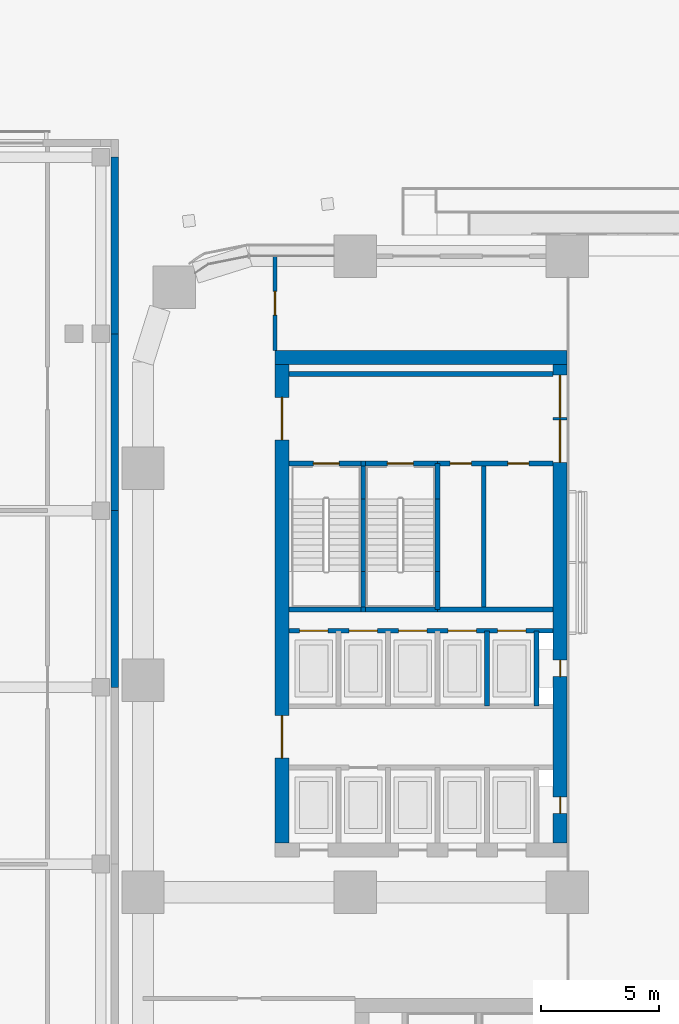
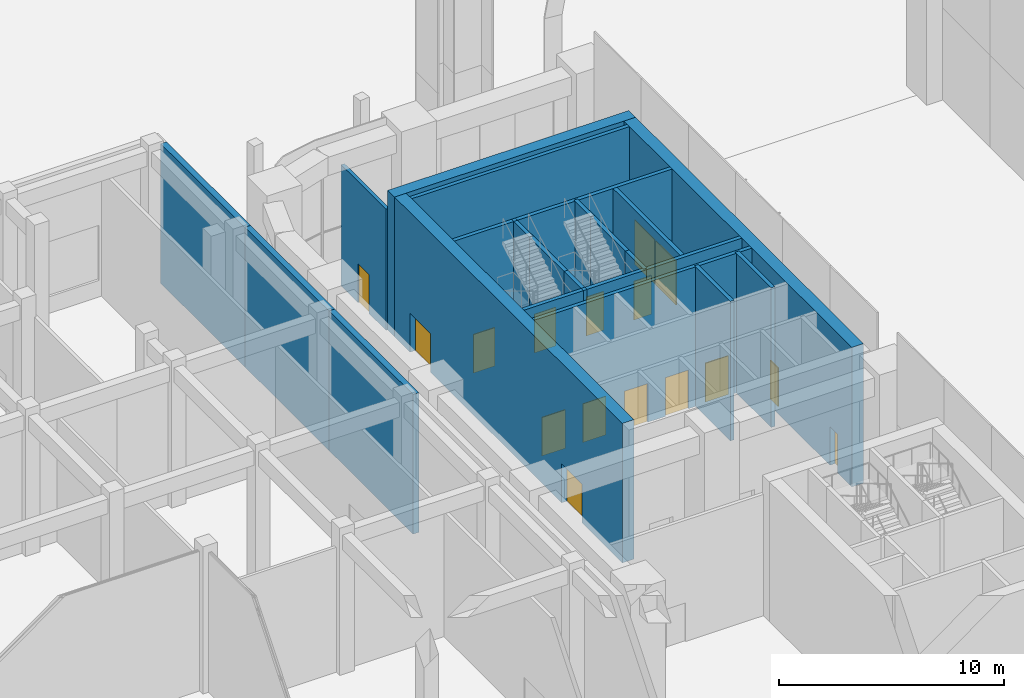
# One storey, part 35 of 64: 26 walls, 16 doors, 16 openings.
"""IFC4 building model written with IfcOpenShell, lengths in metres."""

from ifc_helpers import new_model, si_unit, direction, frame, frame_2d, origin, place, context, subcontext, project, spatial, rectangle, extrude, material, layer, layer_set, type_object, element, fill, save


model = new_model("IFC4")

# Units and contexts
model_context = context("Model", 3, precision=1e-05, world=origin(), true_north=direction((0.0, 1.0)))
body_context = subcontext(model_context, "Body", "Model", "MODEL_VIEW")
ifc_project = project(units=[si_unit("LENGTHUNIT", "METRE"), si_unit("AREAUNIT", "SQUARE_METRE"), si_unit("VOLUMEUNIT", "CUBIC_METRE"), si_unit("PLANEANGLEUNIT", "RADIAN"), si_unit("MASSUNIT", "GRAM", prefix="KILO")], contexts=[model_context])

# Site, building, storey
site_placement = place(None, origin())
site = spatial("IfcSite", under=ifc_project, at=site_placement, CompositionType="ELEMENT")
building_placement = place(site_placement, origin())
building = spatial("IfcBuilding", under=site, at=building_placement, Name="Tessera Arch", CompositionType="ELEMENT")
storey_placement = place(building_placement, origin())
storey = spatial("IfcBuildingStorey", under=building, at=storey_placement, Name="L00", CompositionType="ELEMENT", Elevation=0.0)

# Wall
ifc_material_1 = material(Name="Gypsum board on steel stud", Category="steel")
ifc_layer_1 = layer(ifc_material_1, 0.125)
ifc_layer_set_1 = layer_set([ifc_layer_1], Name="Core partition 125 EI 60")
wall_type_1 = type_object("IfcWallType", Name="Core partition 125 EI 60", PredefinedType="PARTITIONING", material=ifc_layer_set_1)
wall_1_placement = place(storey_placement, frame((14.4599609375, 39.0, 0.0), z_axis=(0.0, 0.0, 1.0), x_axis=(0.0, 1.0, 0.0)))
element("IfcWall", 1, at=wall_1_placement, inside=storey, type_object=wall_type_1, Name="L00 C2 partition wall 13", PredefinedType="PARTITIONING", context=body_context, shape_type="SweptSolid", body=[
    extrude(rectangle(XDim=6.199951171875, YDim=0.199951171875, at=frame_2d((3.10009765625, 0.0))), origin(), (0.0, 0.0, 1.0), 7.590087890625),
])

# Wall, openings, doors
wall_2_placement = place(storey_placement, frame((12.5, 45.199951171875, 0.0), z_axis=(0.0, 0.0, 1.0), x_axis=(1.0, 0.0, 0.0)))
wall_2 = element("IfcWall", 2, at=wall_2_placement, inside=storey, type_object=wall_type_1, Name="L00 C2 partition wall 25", PredefinedType="PARTITIONING", context=body_context, shape_type="SweptSolid", body=[
    extrude(rectangle(XDim=4.89990234375, YDim=0.199951171875, at=frame_2d((2.449951171875, 0.0))), origin(), (0.0, 0.0, 1.0), 7.590087890625),
])
opening_1_placement = place(wall_2_placement, frame((0.530029296875, 0.0, 0.0)))
opening_1 = element("IfcOpeningElement", 3, at=opening_1_placement, cuts=wall_2, Name="Opening L00-C32", PredefinedType="OPENING", context=body_context, shape_type="SweptSolid", body=[
    extrude(rectangle(XDim=0.89990234375, YDim=2.10009765625, at=frame_2d((0.449951171875, 1.050048828125))), frame((0.0, 0.10986328125, 0.0), z_axis=(0.0, -1.0, 0.0), x_axis=(1.0, 0.0, 0.0)), (0.0, 0.0, 1.0), 0.219970703125),
])
opening_2_placement = place(wall_2_placement, frame((2.97998046875, 0.0, 0.0)))
opening_2 = element("IfcOpeningElement", 4, at=opening_2_placement, cuts=wall_2, Name="Opening L00-C33", PredefinedType="OPENING", context=body_context, shape_type="SweptSolid", body=[
    extrude(rectangle(XDim=0.89990234375, YDim=2.10009765625, at=frame_2d((0.449951171875, 1.050048828125))), frame((0.0, 0.10986328125, 0.0), z_axis=(0.0, -1.0, 0.0), x_axis=(1.0, 0.0, 0.0)), (0.0, 0.0, 1.0), 0.219970703125),
])
ifc_material_2 = material(Name="Steel door leaf", Category="steel")
door_type_1 = type_object("IfcDoorType", Name="Store door FD30S 900 x 2100", OperationType="SINGLE_SWING_LEFT", PredefinedType="DOOR", material=ifc_material_2)
door_1_placement = place(opening_1_placement, origin())
door_1 = element("IfcDoor", 5, at=door_1_placement, inside=storey, type_object=door_type_1, Name="L00 C2 door 16 C32 type D09", OperationType="SINGLE_SWING_LEFT", OverallHeight=2.10009765625, OverallWidth=0.89990234375, PredefinedType="DOOR", context=body_context, shape_type="SweptSolid", body=[
    extrude(rectangle(XDim=0.89990234375, YDim=2.10009765625, at=frame_2d((0.449951171875, 1.050048828125))), frame((0.0, 0.02490234375, 0.0), z_axis=(0.0, -1.0, 0.0), x_axis=(1.0, 0.0, 0.0)), (0.0, 0.0, 1.0), 0.050048828125),
])
fill(opening_1, door_1)
door_2_placement = place(opening_2_placement, origin())
door_2 = element("IfcDoor", 6, at=door_2_placement, inside=storey, type_object=door_type_1, Name="L00 C2 door 17 C33 type D09", OperationType="SINGLE_SWING_RIGHT", OverallHeight=2.10009765625, OverallWidth=0.89990234375, PredefinedType="DOOR", context=body_context, shape_type="SweptSolid", body=[
    extrude(rectangle(XDim=0.89990234375, YDim=2.10009765625, at=frame_2d((0.449951171875, 1.050048828125))), frame((0.0, 0.02490234375, 0.0), z_axis=(0.0, -1.0, 0.0), x_axis=(1.0, 0.0, 0.0)), (0.0, 0.0, 1.0), 0.050048828125),
])
fill(opening_2, door_2)

# Walls
wall_3_placement = place(storey_placement, frame((6.199951171875, 49.0, 0.0), z_axis=(0.0, 0.0, 1.0), x_axis=(1.0, 0.0, 0.0)))
element("IfcWall", 7, at=wall_3_placement, inside=storey, type_object=wall_type_1, Name="L00 C2 partition wall 29", PredefinedType="PARTITIONING", context=body_context, shape_type="SweptSolid", body=[
    extrude(rectangle(XDim=11.199951171875, YDim=0.199951171875, at=frame_2d((5.60009765625, 0.0))), origin(), (0.0, 0.0, 1.0), 7.590087890625),
])
ifc_material_3 = material(Name="Concrete C70/85", Category="concrete")
ifc_layer_2 = layer(ifc_material_3, 0.60009765625)
ifc_layer_set_2 = layer_set([ifc_layer_2], Name="Core shell wall 600 C70-85")
wall_type_2 = type_object("IfcWallType", Name="Core shell wall 600 C70-85", PredefinedType="SHEAR", material=ifc_layer_set_2)
wall_4_placement = place(storey_placement, frame((5.60009765625, 49.699951171875, 0.0), z_axis=(0.0, 0.0, 1.0), x_axis=(1.0, 0.0, 0.0)))
element("IfcWall", 8, at=wall_4_placement, inside=storey, type_object=wall_type_2, Name="L00 C2 core wall N", PredefinedType="SHEAR", context=body_context, shape_type="SweptSolid", body=[
    extrude(rectangle(XDim=12.39990234375, YDim=0.60009765625, at=frame_2d((6.199951171875, 0.0))), origin(), (0.0, 0.0, 1.0), 7.590087890625),
])

# Wall, openings, doors
wall_5_placement = place(storey_placement, frame((5.89990234375, 29.10009765625, 0.0), z_axis=(0.0, 0.0, 1.0), x_axis=(0.0, 1.0, 0.0)))
wall_5 = element("IfcWall", 9, at=wall_5_placement, inside=storey, type_object=wall_type_2, Name="L00 C2 core wall W", PredefinedType="SHEAR", context=body_context, shape_type="SweptSolid", body=[
    extrude(rectangle(XDim=20.2998046875, YDim=0.60009765625, at=frame_2d((10.14990234375, 0.0))), origin(), (0.0, 0.0, 1.0), 7.590087890625),
])
opening_3_placement = place(wall_5_placement, frame((3.60009765625, 0.0, 0.0)))
opening_3 = element("IfcOpeningElement", 10, at=opening_3_placement, cuts=wall_5, Name="Opening L00-C29", PredefinedType="OPENING", context=body_context, shape_type="SweptSolid", body=[
    extrude(rectangle(XDim=1.800048828125, YDim=2.10009765625, at=frame_2d((0.89990234375, 1.050048828125))), frame((0.0, 0.31005859375, 0.0), z_axis=(0.0, -1.0, 0.0), x_axis=(1.0, 0.0, 0.0)), (0.0, 0.0, 1.0), 0.6201171875),
])
opening_4_placement = place(wall_5_placement, frame((17.10009765625, 0.0, 0.0)))
opening_4 = element("IfcOpeningElement", 11, at=opening_4_placement, cuts=wall_5, Name="Opening L00-C34", PredefinedType="OPENING", context=body_context, shape_type="SweptSolid", body=[
    extrude(rectangle(XDim=1.800048828125, YDim=2.10009765625, at=frame_2d((0.89990234375, 1.050048828125))), frame((0.0, 0.31005859375, 0.0), z_axis=(0.0, -1.0, 0.0), x_axis=(1.0, 0.0, 0.0)), (0.0, 0.0, 1.0), 0.6201171875),
])
ifc_material_4 = material(Name="Glazed steel door leaf", Category="steel")
door_type_2 = type_object("IfcDoorType", Name="Lobby double door FD30S 1800 x 2100", OperationType="DOUBLE_DOOR_SINGLE_SWING", PredefinedType="DOOR", material=ifc_material_4)
door_3_placement = place(opening_3_placement, origin())
door_3 = element("IfcDoor", 12, at=door_3_placement, inside=storey, type_object=door_type_2, Name="L00 C2 door 13 C29 type D06", OperationType="DOUBLE_DOOR_SINGLE_SWING", OverallHeight=2.10009765625, OverallWidth=1.800048828125, PredefinedType="DOOR", context=body_context, shape_type="SweptSolid", body=[
    extrude(rectangle(XDim=1.800048828125, YDim=2.10009765625, at=frame_2d((0.89990234375, 1.050048828125))), frame((0.0, 0.02490234375, 0.0), z_axis=(0.0, -1.0, 0.0), x_axis=(1.0, 0.0, 0.0)), (0.0, 0.0, 1.0), 0.050048828125),
])
fill(opening_3, door_3)
door_4_placement = place(opening_4_placement, origin())
door_4 = element("IfcDoor", 13, at=door_4_placement, inside=storey, type_object=door_type_2, Name="L00 C2 door 18 C34 type D06", OperationType="DOUBLE_DOOR_SINGLE_SWING", OverallHeight=2.10009765625, OverallWidth=1.800048828125, PredefinedType="DOOR", context=body_context, shape_type="SweptSolid", body=[
    extrude(rectangle(XDim=1.800048828125, YDim=2.10009765625, at=frame_2d((0.89990234375, 1.050048828125))), frame((0.0, 0.02490234375, 0.0), z_axis=(0.0, -1.0, 0.0), x_axis=(1.0, 0.0, 0.0)), (0.0, 0.0, 1.0), 0.050048828125),
])
fill(opening_4, door_4)

wall_6_placement = place(storey_placement, frame((17.699951171875, 29.10009765625, 0.0), z_axis=(0.0, 0.0, 1.0), x_axis=(0.0, 1.0, 0.0)))
wall_6 = element("IfcWall", 14, at=wall_6_placement, inside=storey, type_object=wall_type_2, Name="L00 C2 core wall E", PredefinedType="SHEAR", context=body_context, shape_type="SweptSolid", body=[
    extrude(rectangle(XDim=20.2998046875, YDim=0.60009765625, at=frame_2d((10.14990234375, 0.0))), origin(), (0.0, 0.0, 1.0), 7.590087890625),
])
opening_5_placement = place(wall_6_placement, frame((1.25, 0.0, 0.0)))
opening_5 = element("IfcOpeningElement", 15, at=opening_5_placement, cuts=wall_6, Name="Opening L00-C27", PredefinedType="OPENING", context=body_context, shape_type="SweptSolid", body=[
    extrude(rectangle(XDim=0.699951171875, YDim=2.10009765625, at=frame_2d((0.35009765625, 1.050048828125))), frame((0.0, 0.31005859375, 0.0), z_axis=(0.0, -1.0, 0.0), x_axis=(1.0, 0.0, 0.0)), (0.0, 0.0, 1.0), 0.6201171875),
])
opening_6_placement = place(wall_6_placement, frame((7.050048828125, 0.0, 0.0)))
opening_6 = element("IfcOpeningElement", 16, at=opening_6_placement, cuts=wall_6, Name="Opening L00-C28", PredefinedType="OPENING", context=body_context, shape_type="SweptSolid", body=[
    extrude(rectangle(XDim=0.699951171875, YDim=2.10009765625, at=frame_2d((0.35009765625, 1.050048828125))), frame((0.0, 0.31005859375, 0.0), z_axis=(0.0, -1.0, 0.0), x_axis=(1.0, 0.0, 0.0)), (0.0, 0.0, 1.0), 0.6201171875),
])
opening_7_placement = place(wall_6_placement, frame((17.949951171875, 0.0, 0.0), z_axis=(0.0, 0.0, 1.0), x_axis=(-1.0, 0.0, 0.0)))
opening_7 = element("IfcOpeningElement", 17, at=opening_7_placement, cuts=wall_6, Name="Opening L00-C69", PredefinedType="OPENING", context=body_context, shape_type="SweptSolid", body=[
    extrude(rectangle(XDim=1.800048828125, YDim=2.39990234375, at=frame_2d((0.89990234375, 1.199951171875))), frame((0.0, 0.31005859375, 0.0), z_axis=(0.0, -1.0, 0.0), x_axis=(1.0, 0.0, 0.0)), (0.0, 0.0, 1.0), 0.6201171875),
])
opening_8_placement = place(wall_6_placement, frame((19.85009765625, 0.0, 0.0), z_axis=(0.0, 0.0, 1.0), x_axis=(-1.0, 0.0, 0.0)))
opening_8 = element("IfcOpeningElement", 18, at=opening_8_placement, cuts=wall_6, Name="Opening L00-C70", PredefinedType="OPENING", context=body_context, shape_type="SweptSolid", body=[
    extrude(rectangle(XDim=1.800048828125, YDim=2.39990234375, at=frame_2d((0.89990234375, 1.199951171875))), frame((0.0, 0.31005859375, 0.0), z_axis=(0.0, -1.0, 0.0), x_axis=(1.0, 0.0, 0.0)), (0.0, 0.0, 1.0), 0.6201171875),
])
ifc_material_5 = material(Name="Steel door leaf", Category="steel")
door_type_3 = type_object("IfcDoorType", Name="Service shaft door FD60 700 x 2100", OperationType="SINGLE_SWING_LEFT", PredefinedType="DOOR", material=ifc_material_5)
door_5_placement = place(opening_5_placement, origin())
door_5 = element("IfcDoor", 19, at=door_5_placement, inside=storey, type_object=door_type_3, Name="L00 C2 door 11 C27 type D07", OperationType="SINGLE_SWING_LEFT", OverallHeight=2.10009765625, OverallWidth=0.699951171875, PredefinedType="DOOR", context=body_context, shape_type="SweptSolid", body=[
    extrude(rectangle(XDim=0.699951171875, YDim=2.10009765625, at=frame_2d((0.35009765625, 1.050048828125))), frame((0.0, 0.02490234375, 0.0), z_axis=(0.0, -1.0, 0.0), x_axis=(1.0, 0.0, 0.0)), (0.0, 0.0, 1.0), 0.050048828125),
])
fill(opening_5, door_5)
door_6_placement = place(opening_6_placement, origin())
door_6 = element("IfcDoor", 20, at=door_6_placement, inside=storey, type_object=door_type_3, Name="L00 C2 door 12 C28 type D07", OperationType="SINGLE_SWING_LEFT", OverallHeight=2.10009765625, OverallWidth=0.699951171875, PredefinedType="DOOR", context=body_context, shape_type="SweptSolid", body=[
    extrude(rectangle(XDim=0.699951171875, YDim=2.10009765625, at=frame_2d((0.35009765625, 1.050048828125))), frame((0.0, 0.02490234375, 0.0), z_axis=(0.0, -1.0, 0.0), x_axis=(1.0, 0.0, 0.0)), (0.0, 0.0, 1.0), 0.050048828125),
])
fill(opening_6, door_6)
ifc_material_6 = material(Name="Steel door leaf", Category="steel")
door_type_4 = type_object("IfcDoorType", Name="Stair discharge door 1800 x 2400", OperationType="DOUBLE_DOOR_SINGLE_SWING", PredefinedType="DOOR", material=ifc_material_6)
door_7_placement = place(opening_7_placement, origin())
door_7 = element("IfcDoor", 21, at=door_7_placement, inside=storey, type_object=door_type_4, Name="Stair S2a exit C69 type D10", OperationType="DOUBLE_DOOR_SINGLE_SWING", OverallHeight=2.39990234375, OverallWidth=1.800048828125, PredefinedType="DOOR", context=body_context, shape_type="SweptSolid", body=[
    extrude(rectangle(XDim=1.800048828125, YDim=2.39990234375, at=frame_2d((0.89990234375, 1.199951171875))), frame((0.0, 0.02490234375, 0.0), z_axis=(0.0, -1.0, 0.0), x_axis=(1.0, 0.0, 0.0)), (0.0, 0.0, 1.0), 0.050048828125),
])
fill(opening_7, door_7)
door_8_placement = place(opening_8_placement, origin())
door_8 = element("IfcDoor", 22, at=door_8_placement, inside=storey, type_object=door_type_4, Name="Stair S2b exit C70 type D10", OperationType="DOUBLE_DOOR_SINGLE_SWING", OverallHeight=2.39990234375, OverallWidth=1.800048828125, PredefinedType="DOOR", context=body_context, shape_type="SweptSolid", body=[
    extrude(rectangle(XDim=1.800048828125, YDim=2.39990234375, at=frame_2d((0.89990234375, 1.199951171875))), frame((0.0, 0.02490234375, 0.0), z_axis=(0.0, -1.0, 0.0), x_axis=(1.0, 0.0, 0.0)), (0.0, 0.0, 1.0), 0.050048828125),
])
fill(opening_8, door_8)

# Wall, opening, door
ifc_material_7 = material(Name="Gypsum board on deep steel stud with mineral wool", Category="steel")
ifc_layer_3 = layer(ifc_material_7, 0.175048828125)
ifc_layer_set_3 = layer_set([ifc_layer_3], Name="Corridor wall 175 EI 60")
wall_type_3 = type_object("IfcWallType", Name="Corridor wall 175 EI 60", PredefinedType="PARTITIONING", material=ifc_layer_set_3)
wall_7_placement = place(storey_placement, frame((5.60009765625, 50.0, 0.0), z_axis=(0.0, 0.0, 1.0), x_axis=(0.0, 1.0, 0.0)))
wall_7 = element("IfcWall", 23, at=wall_7_placement, inside=storey, type_object=wall_type_3, Name="L00 partition 22", PredefinedType="PARTITIONING", context=body_context, shape_type="SweptSolid", body=[
    extrude(rectangle(XDim=4.0, YDim=0.175048828125, at=frame_2d((2.0, 0.0))), origin(), (0.0, 0.0, 1.0), 6.590087890625),
])
opening_9_placement = place(wall_7_placement, frame((1.5, 0.0, 0.0)))
opening_9 = element("IfcOpeningElement", 24, at=opening_9_placement, cuts=wall_7, Name="Opening L00-D015", PredefinedType="OPENING", context=body_context, shape_type="SweptSolid", body=[
    extrude(rectangle(XDim=1.0, YDim=2.10009765625, at=frame_2d((0.5, 1.050048828125))), frame((0.0, 0.097412109375, 0.0), z_axis=(0.0, -1.0, 0.0), x_axis=(1.0, 0.0, 0.0)), (0.0, 0.0, 1.0), 0.195068359375),
])
ifc_material_8 = material(Name="Fire-rated door leaf")
door_type_5 = type_object("IfcDoorType", Name="Entrance door FD30S 1000 x 2100", OperationType="SINGLE_SWING_LEFT", PredefinedType="DOOR", material=ifc_material_8)
door_9_placement = place(opening_9_placement, origin())
door_9 = element("IfcDoor", 25, at=door_9_placement, inside=storey, type_object=door_type_5, Name="L00 door D015 type D03", OperationType="SINGLE_SWING_LEFT", OverallHeight=2.10009765625, OverallWidth=1.0, PredefinedType="DOOR", context=body_context, shape_type="SweptSolid", body=[
    extrude(rectangle(XDim=1.0, YDim=2.10009765625, at=frame_2d((0.5, 1.050048828125))), frame((0.0, 0.02490234375, 0.0), z_axis=(0.0, -1.0, 0.0), x_axis=(1.0, 0.0, 0.0)), (0.0, 0.0, 1.0), 0.050048828125),
])
fill(opening_9, door_9)

# Walls
ifc_material_9 = material(Name="Concrete C40/50", Category="concrete")
ifc_layer_4 = layer(ifc_material_9, 0.300048828125)
ifc_layer_set_4 = layer_set([ifc_layer_4], Name="Museum fire wall")
wall_type_4 = type_object("IfcWallType", Name="Museum fire wall", PredefinedType="SOLIDWALL", material=ifc_layer_set_4)
for number, where, z_axis, x_axis, name in (
    (26, (-1.199951171875, 35.699951171875, 0.0), (0.0, 0.0, 1.0), (0.0, 1.0, 0.0), "Museum fire wall at the movement joint"),
    (27, (-1.199951171875, 43.199951171875, 0.0), (0.0, 0.0, 1.0), (0.0, 1.0, 0.0), "Museum fire wall at the movement joint"),
    (28, (-1.199951171875, 50.699951171875, 0.0), (0.0, 0.0, 1.0), (0.0, 1.0, 0.0), "Museum fire wall at the movement joint"),
):
    element("IfcWall", number, at=place(storey_placement, frame(where, z_axis=z_axis, x_axis=x_axis)), inside=storey, type_object=wall_type_4, Name=name, PredefinedType="SOLIDWALL", context=body_context, shape_type="SweptSolid", body=[
        extrude(rectangle(XDim=7.5, YDim=0.300048828125, at=frame_2d((3.75, 0.0))), origin(), (0.0, 0.0, 1.0), 7.590087890625),
    ])
ifc_material_10 = material(Name="Concrete C40/50", Category="concrete")
ifc_layer_5 = layer(ifc_material_10, 0.199951171875)
ifc_layer_set_5 = layer_set([ifc_layer_5], Name="Shaft wall 200 EI 120")
wall_type_5 = type_object("IfcWallType", Name="Shaft wall 200 EI 120", PredefinedType="SOLIDWALL", material=ifc_layer_set_5)
for number, where, z_axis, x_axis, name in (
    (29, (14.60009765625, 34.89990234375, 0.0), (0.0, 0.0, 1.0), (0.0, 1.0, 0.0), "L00 C2 shaft wall 15"),
    (30, (16.699951171875, 34.89990234375, 0.0), (0.0, 0.0, 1.0), (0.0, 1.0, 0.0), "L00 C2 shaft wall 17"),
):
    element("IfcWall", number, at=place(storey_placement, frame(where, z_axis=z_axis, x_axis=x_axis)), inside=storey, type_object=wall_type_5, Name=name, PredefinedType="SOLIDWALL", context=body_context, shape_type="SweptSolid", body=[
        extrude(rectangle(XDim=3.2001953125, YDim=0.199951171875, at=frame_2d((1.60009765625, 0.0))), origin(), (0.0, 0.0, 1.0), 7.590087890625),
    ])

# Wall, openings, doors
wall_8_placement = place(storey_placement, frame((6.199951171875, 38.10009765625, 0.0), z_axis=(0.0, 0.0, 1.0), x_axis=(1.0, 0.0, 0.0)))
wall_8 = element("IfcWall", 31, at=wall_8_placement, inside=storey, type_object=wall_type_5, Name="L00 C2 shaft wall 20", PredefinedType="SOLIDWALL", context=body_context, shape_type="SweptSolid", body=[
    extrude(rectangle(XDim=11.199951171875, YDim=0.199951171875, at=frame_2d((5.60009765625, 0.0))), origin(), (0.0, 0.0, 1.0), 7.590087890625),
])
opening_10_placement = place(wall_8_placement, frame((0.449951171875, 0.0, 0.0)))
opening_10 = element("IfcOpeningElement", 32, at=opening_10_placement, cuts=wall_8, Name="Opening L00-C21", PredefinedType="OPENING", context=body_context, shape_type="SweptSolid", body=[
    extrude(rectangle(XDim=1.199951171875, YDim=2.10009765625, at=frame_2d((0.60009765625, 1.050048828125))), frame((0.0, 0.10986328125, 0.0), z_axis=(0.0, -1.0, 0.0), x_axis=(1.0, 0.0, 0.0)), (0.0, 0.0, 1.0), 0.219970703125),
])
opening_11_placement = place(wall_8_placement, frame((2.550048828125, 0.0, 0.0)))
opening_11 = element("IfcOpeningElement", 33, at=opening_11_placement, cuts=wall_8, Name="Opening L00-C22", PredefinedType="OPENING", context=body_context, shape_type="SweptSolid", body=[
    extrude(rectangle(XDim=1.199951171875, YDim=2.10009765625, at=frame_2d((0.60009765625, 1.050048828125))), frame((0.0, 0.10986328125, 0.0), z_axis=(0.0, -1.0, 0.0), x_axis=(1.0, 0.0, 0.0)), (0.0, 0.0, 1.0), 0.219970703125),
])
opening_12_placement = place(wall_8_placement, frame((4.64990234375, 0.0, 0.0)))
opening_12 = element("IfcOpeningElement", 34, at=opening_12_placement, cuts=wall_8, Name="Opening L00-C23", PredefinedType="OPENING", context=body_context, shape_type="SweptSolid", body=[
    extrude(rectangle(XDim=1.199951171875, YDim=2.10009765625, at=frame_2d((0.60009765625, 1.050048828125))), frame((0.0, 0.10986328125, 0.0), z_axis=(0.0, -1.0, 0.0), x_axis=(1.0, 0.0, 0.0)), (0.0, 0.0, 1.0), 0.219970703125),
])
opening_13_placement = place(wall_8_placement, frame((6.75, 0.0, 0.0)))
opening_13 = element("IfcOpeningElement", 35, at=opening_13_placement, cuts=wall_8, Name="Opening L00-C24", PredefinedType="OPENING", context=body_context, shape_type="SweptSolid", body=[
    extrude(rectangle(XDim=1.199951171875, YDim=2.10009765625, at=frame_2d((0.60009765625, 1.050048828125))), frame((0.0, 0.10986328125, 0.0), z_axis=(0.0, -1.0, 0.0), x_axis=(1.0, 0.0, 0.0)), (0.0, 0.0, 1.0), 0.219970703125),
])
opening_14_placement = place(wall_8_placement, frame((8.85009765625, 0.0, 0.0)))
opening_14 = element("IfcOpeningElement", 36, at=opening_14_placement, cuts=wall_8, Name="Opening L00-C26", PredefinedType="OPENING", context=body_context, shape_type="SweptSolid", body=[
    extrude(rectangle(XDim=1.199951171875, YDim=2.10009765625, at=frame_2d((0.60009765625, 1.050048828125))), frame((0.0, 0.10986328125, 0.0), z_axis=(0.0, -1.0, 0.0), x_axis=(1.0, 0.0, 0.0)), (0.0, 0.0, 1.0), 0.219970703125),
])
ifc_material_11 = material(Name="Stainless steel AISI 304", Category="steel")
door_type_6 = type_object("IfcDoorType", Name="Sliding landing door 1200 x 2100", OperationType="SLIDING_TO_LEFT", PredefinedType="DOOR", material=ifc_material_11)
door_10_placement = place(opening_10_placement, origin())
door_10 = element("IfcDoor", 37, at=door_10_placement, inside=storey, type_object=door_type_6, Name="L00 LR5 lift landing door C21 type LD", OperationType="SLIDING_TO_LEFT", OverallHeight=2.10009765625, OverallWidth=1.199951171875, PredefinedType="DOOR", context=body_context, shape_type="SweptSolid", body=[
    extrude(rectangle(XDim=1.199951171875, YDim=2.10009765625, at=frame_2d((0.60009765625, 1.050048828125))), frame((0.0, 0.02490234375, 0.0), z_axis=(0.0, -1.0, 0.0), x_axis=(1.0, 0.0, 0.0)), (0.0, 0.0, 1.0), 0.050048828125),
])
fill(opening_10, door_10)
door_11_placement = place(opening_11_placement, origin())
door_11 = element("IfcDoor", 38, at=door_11_placement, inside=storey, type_object=door_type_6, Name="L00 LR6 lift landing door C22 type LD", OperationType="SLIDING_TO_LEFT", OverallHeight=2.10009765625, OverallWidth=1.199951171875, PredefinedType="DOOR", context=body_context, shape_type="SweptSolid", body=[
    extrude(rectangle(XDim=1.199951171875, YDim=2.10009765625, at=frame_2d((0.60009765625, 1.050048828125))), frame((0.0, 0.02490234375, 0.0), z_axis=(0.0, -1.0, 0.0), x_axis=(1.0, 0.0, 0.0)), (0.0, 0.0, 1.0), 0.050048828125),
])
fill(opening_11, door_11)
door_12_placement = place(opening_12_placement, origin())
door_12 = element("IfcDoor", 39, at=door_12_placement, inside=storey, type_object=door_type_6, Name="L00 LR7 lift landing door C23 type LD", OperationType="SLIDING_TO_LEFT", OverallHeight=2.10009765625, OverallWidth=1.199951171875, PredefinedType="DOOR", context=body_context, shape_type="SweptSolid", body=[
    extrude(rectangle(XDim=1.199951171875, YDim=2.10009765625, at=frame_2d((0.60009765625, 1.050048828125))), frame((0.0, 0.02490234375, 0.0), z_axis=(0.0, -1.0, 0.0), x_axis=(1.0, 0.0, 0.0)), (0.0, 0.0, 1.0), 0.050048828125),
])
fill(opening_12, door_12)
door_13_placement = place(opening_13_placement, origin())
door_13 = element("IfcDoor", 40, at=door_13_placement, inside=storey, type_object=door_type_6, Name="L00 LR8 lift landing door C24 type LD", OperationType="SLIDING_TO_LEFT", OverallHeight=2.10009765625, OverallWidth=1.199951171875, PredefinedType="DOOR", context=body_context, shape_type="SweptSolid", body=[
    extrude(rectangle(XDim=1.199951171875, YDim=2.10009765625, at=frame_2d((0.60009765625, 1.050048828125))), frame((0.0, 0.02490234375, 0.0), z_axis=(0.0, -1.0, 0.0), x_axis=(1.0, 0.0, 0.0)), (0.0, 0.0, 1.0), 0.050048828125),
])
fill(opening_13, door_13)
door_14_placement = place(opening_14_placement, origin())
door_14 = element("IfcDoor", 41, at=door_14_placement, inside=storey, type_object=door_type_6, Name="L00 HR8 lift landing door C26 type LD", OperationType="SLIDING_TO_LEFT", OverallHeight=2.10009765625, OverallWidth=1.199951171875, PredefinedType="DOOR", context=body_context, shape_type="SweptSolid", body=[
    extrude(rectangle(XDim=1.199951171875, YDim=2.10009765625, at=frame_2d((0.60009765625, 1.050048828125))), frame((0.0, 0.02490234375, 0.0), z_axis=(0.0, -1.0, 0.0), x_axis=(1.0, 0.0, 0.0)), (0.0, 0.0, 1.0), 0.050048828125),
])
fill(opening_14, door_14)

# Walls
wall_9_placement = place(storey_placement, frame((12.5, 39.0, 0.0), z_axis=(0.0, 0.0, 1.0), x_axis=(1.0, 0.0, 0.0)))
element("IfcWall", 42, at=wall_9_placement, inside=storey, type_object=wall_type_5, Name="L00 C2 shaft wall 21", PredefinedType="SOLIDWALL", context=body_context, shape_type="SweptSolid", body=[
    extrude(rectangle(XDim=4.89990234375, YDim=0.199951171875, at=frame_2d((2.449951171875, 0.0))), origin(), (0.0, 0.0, 1.0), 7.590087890625),
])
ifc_material_12 = material(Name="Concrete C40/50", Category="concrete")
ifc_layer_6 = layer(ifc_material_12, 0.199951171875)
ifc_layer_set_6 = layer_set([ifc_layer_6], Name="Stair well wall 200 REI 180")
wall_type_6 = type_object("IfcWallType", Name="Stair well wall 200 REI 180", PredefinedType="SOLIDWALL", material=ifc_layer_set_6)
wall_10_placement = place(storey_placement, frame((9.35009765625, 39.0, 0.0), z_axis=(0.0, 0.0, 1.0), x_axis=(0.0, 1.0, 0.0)))
element("IfcWall", 43, at=wall_10_placement, inside=storey, type_object=wall_type_6, Name="L00 C2 shaft wall 3", PredefinedType="SOLIDWALL", context=body_context, shape_type="SweptSolid", body=[
    extrude(rectangle(XDim=1.6201171875, YDim=0.199951171875, at=frame_2d((0.81005859375, 0.0))), origin(), (0.0, 0.0, 1.0), 7.590087890625),
])
wall_11_placement = place(storey_placement, frame((9.35009765625, 40.6201171875, 0.0), z_axis=(0.0, 0.0, 1.0), x_axis=(0.0, 1.0, 0.0)))
element("IfcWall", 44, at=wall_11_placement, inside=storey, type_object=wall_type_6, Name="L00 C2 shaft wall 4", PredefinedType="SOLIDWALL", context=body_context, shape_type="SweptSolid", body=[
    extrude(rectangle(XDim=3.079833984375, YDim=0.199951171875, at=frame_2d((1.5400390625, 0.0))), origin(), (0.0, 0.0, 1.0), 7.590087890625),
])
wall_12_placement = place(storey_placement, frame((9.35009765625, 43.699951171875, 0.0), z_axis=(0.0, 0.0, 1.0), x_axis=(0.0, 1.0, 0.0)))
element("IfcWall", 45, at=wall_12_placement, inside=storey, type_object=wall_type_6, Name="L00 C2 shaft wall 5", PredefinedType="SOLIDWALL", context=body_context, shape_type="SweptSolid", body=[
    extrude(rectangle(XDim=1.5, YDim=0.199951171875, at=frame_2d((0.75, 0.0))), origin(), (0.0, 0.0, 1.0), 7.590087890625),
])
wall_13_placement = place(storey_placement, frame((12.5, 39.0, 0.0), z_axis=(0.0, 0.0, 1.0), x_axis=(0.0, 1.0, 0.0)))
element("IfcWall", 46, at=wall_13_placement, inside=storey, type_object=wall_type_6, Name="L00 C2 shaft wall 10", PredefinedType="SOLIDWALL", context=body_context, shape_type="SweptSolid", body=[
    extrude(rectangle(XDim=1.6201171875, YDim=0.199951171875, at=frame_2d((0.81005859375, 0.0))), origin(), (0.0, 0.0, 1.0), 7.590087890625),
])
wall_14_placement = place(storey_placement, frame((12.5, 40.6201171875, 0.0), z_axis=(0.0, 0.0, 1.0), x_axis=(0.0, 1.0, 0.0)))
element("IfcWall", 47, at=wall_14_placement, inside=storey, type_object=wall_type_6, Name="L00 C2 shaft wall 11", PredefinedType="SOLIDWALL", context=body_context, shape_type="SweptSolid", body=[
    extrude(rectangle(XDim=3.079833984375, YDim=0.199951171875, at=frame_2d((1.5400390625, 0.0))), origin(), (0.0, 0.0, 1.0), 7.590087890625),
])
wall_15_placement = place(storey_placement, frame((12.5, 43.699951171875, 0.0), z_axis=(0.0, 0.0, 1.0), x_axis=(0.0, 1.0, 0.0)))
element("IfcWall", 48, at=wall_15_placement, inside=storey, type_object=wall_type_6, Name="L00 C2 shaft wall 12", PredefinedType="SOLIDWALL", context=body_context, shape_type="SweptSolid", body=[
    extrude(rectangle(XDim=1.5, YDim=0.199951171875, at=frame_2d((0.75, 0.0))), origin(), (0.0, 0.0, 1.0), 7.590087890625),
])
wall_16_placement = place(storey_placement, frame((6.199951171875, 39.0, 0.0), z_axis=(0.0, 0.0, 1.0), x_axis=(1.0, 0.0, 0.0)))
element("IfcWall", 49, at=wall_16_placement, inside=storey, type_object=wall_type_6, Name="L00 C2 shaft wall 22", PredefinedType="SOLIDWALL", context=body_context, shape_type="SweptSolid", body=[
    extrude(rectangle(XDim=3.050048828125, YDim=0.199951171875, at=frame_2d((1.52490234375, 0.0))), origin(), (0.0, 0.0, 1.0), 7.590087890625),
])
wall_17_placement = place(storey_placement, frame((9.25, 39.0, 0.0), z_axis=(0.0, 0.0, 1.0), x_axis=(1.0, 0.0, 0.0)))
element("IfcWall", 50, at=wall_17_placement, inside=storey, type_object=wall_type_6, Name="L00 C2 shaft wall 23", PredefinedType="SOLIDWALL", context=body_context, shape_type="SweptSolid", body=[
    extrude(rectangle(XDim=0.199951171875, YDim=0.199951171875, at=frame_2d((0.10009765625, 0.0))), origin(), (0.0, 0.0, 1.0), 7.590087890625),
])
wall_18_placement = place(storey_placement, frame((9.449951171875, 39.0, 0.0), z_axis=(0.0, 0.0, 1.0), x_axis=(1.0, 0.0, 0.0)))
element("IfcWall", 51, at=wall_18_placement, inside=storey, type_object=wall_type_6, Name="L00 C2 shaft wall 24", PredefinedType="SOLIDWALL", context=body_context, shape_type="SweptSolid", body=[
    extrude(rectangle(XDim=3.050048828125, YDim=0.199951171875, at=frame_2d((1.52490234375, 0.0))), origin(), (0.0, 0.0, 1.0), 7.590087890625),
])

# Wall, opening, door
wall_19_placement = place(storey_placement, frame((6.199951171875, 45.199951171875, 0.0), z_axis=(0.0, 0.0, 1.0), x_axis=(1.0, 0.0, 0.0)))
wall_19 = element("IfcWall", 52, at=wall_19_placement, inside=storey, type_object=wall_type_6, Name="L00 C2 shaft wall 26", PredefinedType="SOLIDWALL", context=body_context, shape_type="SweptSolid", body=[
    extrude(rectangle(XDim=3.050048828125, YDim=0.199951171875, at=frame_2d((1.52490234375, 0.0))), origin(), (0.0, 0.0, 1.0), 7.590087890625),
])
opening_15_placement = place(wall_19_placement, frame((1.02490234375, 0.0, 0.0)))
opening_15 = element("IfcOpeningElement", 53, at=opening_15_placement, cuts=wall_19, Name="Opening L00-C30", PredefinedType="OPENING", context=body_context, shape_type="SweptSolid", body=[
    extrude(rectangle(XDim=1.10009765625, YDim=2.10009765625, at=frame_2d((0.550048828125, 1.050048828125))), frame((0.0, 0.10986328125, 0.0), z_axis=(0.0, -1.0, 0.0), x_axis=(1.0, 0.0, 0.0)), (0.0, 0.0, 1.0), 0.219970703125),
])
ifc_material_13 = material(Name="Steel door leaf", Category="steel")
door_type_7 = type_object("IfcDoorType", Name="Stair door FD60 1100 x 2100", OperationType="SINGLE_SWING_LEFT", PredefinedType="DOOR", material=ifc_material_13)
door_15_placement = place(opening_15_placement, origin())
door_15 = element("IfcDoor", 54, at=door_15_placement, inside=storey, type_object=door_type_7, Name="L00 C2 door 14 C30 type D05", OperationType="SINGLE_SWING_RIGHT", OverallHeight=2.10009765625, OverallWidth=1.10009765625, PredefinedType="DOOR", context=body_context, shape_type="SweptSolid", body=[
    extrude(rectangle(XDim=1.10009765625, YDim=2.10009765625, at=frame_2d((0.550048828125, 1.050048828125))), frame((0.0, 0.02490234375, 0.0), z_axis=(0.0, -1.0, 0.0), x_axis=(1.0, 0.0, 0.0)), (0.0, 0.0, 1.0), 0.050048828125),
])
fill(opening_15, door_15)

# Wall
wall_20_placement = place(storey_placement, frame((9.25, 45.199951171875, 0.0), z_axis=(0.0, 0.0, 1.0), x_axis=(1.0, 0.0, 0.0)))
element("IfcWall", 55, at=wall_20_placement, inside=storey, type_object=wall_type_6, Name="L00 C2 shaft wall 27", PredefinedType="SOLIDWALL", context=body_context, shape_type="SweptSolid", body=[
    extrude(rectangle(XDim=0.199951171875, YDim=0.199951171875, at=frame_2d((0.10009765625, 0.0))), origin(), (0.0, 0.0, 1.0), 7.590087890625),
])

# Wall, opening, door
wall_21_placement = place(storey_placement, frame((9.449951171875, 45.199951171875, 0.0), z_axis=(0.0, 0.0, 1.0), x_axis=(1.0, 0.0, 0.0)))
wall_21 = element("IfcWall", 56, at=wall_21_placement, inside=storey, type_object=wall_type_6, Name="L00 C2 shaft wall 28", PredefinedType="SOLIDWALL", context=body_context, shape_type="SweptSolid", body=[
    extrude(rectangle(XDim=3.050048828125, YDim=0.199951171875, at=frame_2d((1.52490234375, 0.0))), origin(), (0.0, 0.0, 1.0), 7.590087890625),
])
opening_16_placement = place(wall_21_placement, frame((0.925048828125, 0.0, 0.0)))
opening_16 = element("IfcOpeningElement", 57, at=opening_16_placement, cuts=wall_21, Name="Opening L00-C31", PredefinedType="OPENING", context=body_context, shape_type="SweptSolid", body=[
    extrude(rectangle(XDim=1.10009765625, YDim=2.10009765625, at=frame_2d((0.550048828125, 1.050048828125))), frame((0.0, 0.10986328125, 0.0), z_axis=(0.0, -1.0, 0.0), x_axis=(1.0, 0.0, 0.0)), (0.0, 0.0, 1.0), 0.219970703125),
])
door_16_placement = place(opening_16_placement, origin())
door_16 = element("IfcDoor", 58, at=door_16_placement, inside=storey, type_object=door_type_7, Name="L00 C2 door 15 C31 type D05", OperationType="SINGLE_SWING_LEFT", OverallHeight=2.10009765625, OverallWidth=1.10009765625, PredefinedType="DOOR", context=body_context, shape_type="SweptSolid", body=[
    extrude(rectangle(XDim=1.10009765625, YDim=2.10009765625, at=frame_2d((0.550048828125, 1.050048828125))), frame((0.0, 0.02490234375, 0.0), z_axis=(0.0, -1.0, 0.0), x_axis=(1.0, 0.0, 0.0)), (0.0, 0.0, 1.0), 0.050048828125),
])
fill(opening_16, door_16)

save(model, "model.ifc")
